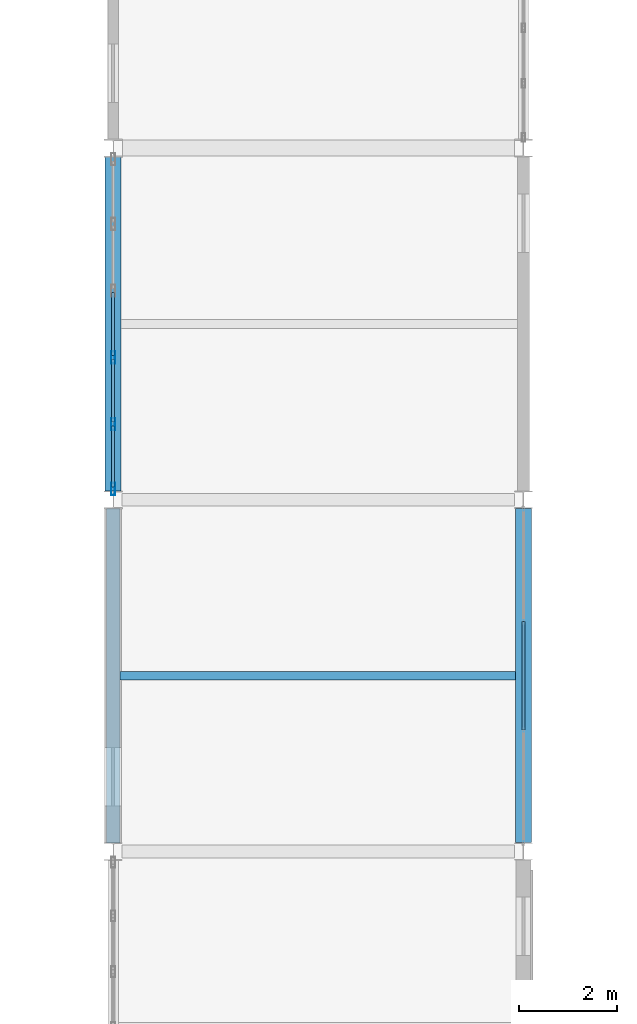
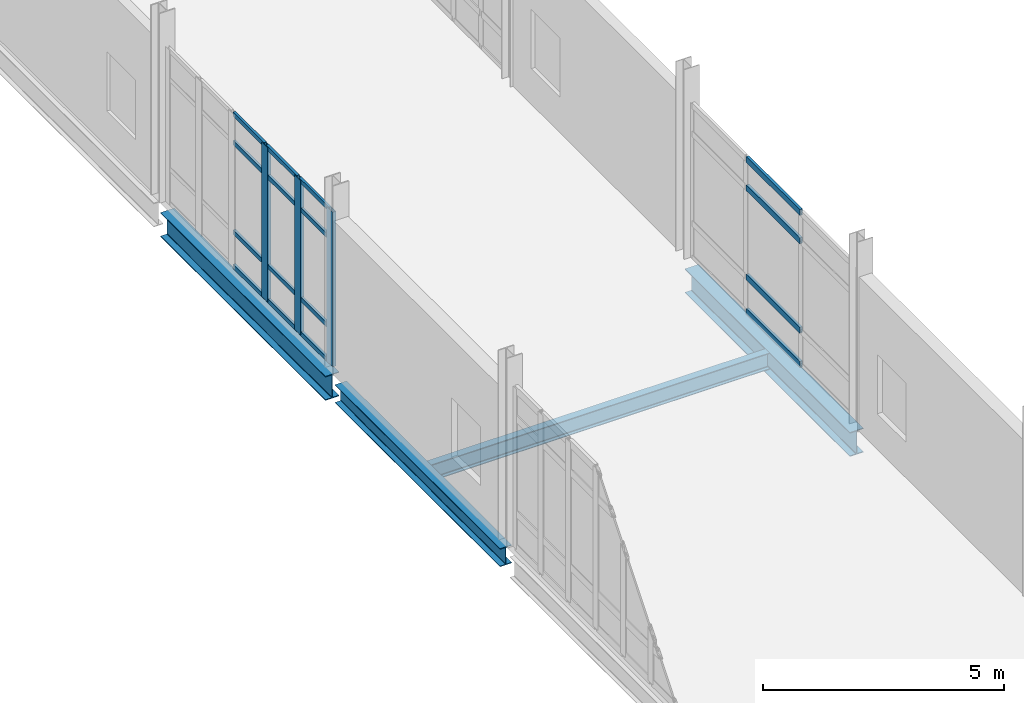
# One storey, part 78 of 186: 19 members, 4 beams, 2 elements without a shape of their own.
"""IFC4 building model written with IfcOpenShell, lengths in metres."""

from ifc_helpers import new_model, si_unit, direction, frame, origin, origin_2d, place, context, subcontext, project, spatial, hollow_rectangle, i_section, extrude, material, layer, layer_set, material_profile, profile_set, type_object, element, aggregate, save


model = new_model("IFC4")

# Units and contexts
model_context = context("Model", 3, precision=1e-05, world=origin(), true_north=direction((0.0, 1.0)))
body_context = subcontext(model_context, "Body", "Model", "MODEL_VIEW")
ifc_project = project(units=[si_unit("LENGTHUNIT", "METRE"), si_unit("AREAUNIT", "SQUARE_METRE"), si_unit("VOLUMEUNIT", "CUBIC_METRE"), si_unit("PLANEANGLEUNIT", "RADIAN"), si_unit("MASSUNIT", "GRAM", prefix="KILO")], contexts=[model_context])

# Site, building, storey
site_placement = place(None, origin())
site = spatial("IfcSite", under=ifc_project, at=site_placement, CompositionType="ELEMENT")
building_placement = place(site_placement, origin())
building = spatial("IfcBuilding", under=site, at=building_placement, Name="Calvrana Isthmian Art Gallery", CompositionType="ELEMENT")
storey_placement = place(building_placement, frame((0.0, 0.0, 5.39990234375)))
storey = spatial("IfcBuildingStorey", under=building, at=storey_placement, Name="L01", CompositionType="ELEMENT", Elevation=5.39990234375)

# Beams
ifc_material_1 = material(Name="Steel ASTM A992 Gr 50", Category="steel")
ifc_material_profile_1 = material_profile(ifc_material_1, i_section(OverallWidth=0.279052734375, OverallDepth=0.4619140625, WebThickness=0.0107421875, FlangeThickness=0.017333984375, FilletRadius=0.02001953125, at=origin_2d()), Name="W18X76")
ifc_profile_set_1 = profile_set([ifc_material_profile_1], Name="Steel ASTM A992 Gr 50")
beam_type_1 = type_object("IfcBeamType", Name="BM-G-W18X76", PredefinedType="BEAM", material=ifc_profile_set_1)
beam_1_placement = place(storey_placement, frame((55.199951171875, 76.97802734375, -0.475830078125), z_axis=(0.0, 1.0, 0.0), x_axis=(-1.0, 0.0, 0.0)))
element("IfcBeam", 1, at=beam_1_placement, inside=storey, type_object=beam_type_1, Name="Girder Y L01 08/K-L", PredefinedType="BEAM", context=body_context, shape_type="SweptSolid", body=[
    extrude(i_section(OverallWidth=0.279052734375, OverallDepth=0.4619140625, WebThickness=0.0107421875, FlangeThickness=0.017333984375, FilletRadius=0.02001953125, at=origin_2d()), origin(), (0.0, 0.0, 1.0), 6.840576171875),
])
ifc_material_profile_2 = material_profile(ifc_material_1, i_section(OverallWidth=0.324951171875, OverallDepth=0.612060546875, WebThickness=0.0126953125, FlangeThickness=0.01904296875, FilletRadius=0.02197265625, at=origin_2d()), Name="W24X104")
ifc_profile_set_2 = profile_set([ifc_material_profile_2], Name="Steel ASTM A992 Gr 50")
beam_type_2 = type_object("IfcBeamType", Name="BM-G-W24X104", PredefinedType="BEAM", material=ifc_profile_set_2)
beam_2_placement = place(storey_placement, frame((55.199951171875, 84.181396484375, -0.55078125), z_axis=(0.0, 1.0, 0.0), x_axis=(-1.0, 0.0, 0.0)))
element("IfcBeam", 2, at=beam_2_placement, inside=storey, type_object=beam_type_2, Name="Girder Y L01 08/L-M", PredefinedType="BEAM", context=body_context, shape_type="SweptSolid", body=[
    extrude(i_section(OverallWidth=0.324951171875, OverallDepth=0.612060546875, WebThickness=0.0126953125, FlangeThickness=0.01904296875, FilletRadius=0.02197265625, at=origin_2d()), origin(), (0.0, 0.0, 1.0), 6.834716796875),
])
beam_3_placement = place(storey_placement, frame((63.60009765625, 76.986572265625, -0.55078125), z_axis=(0.0, 1.0, 0.0), x_axis=(-1.0, 0.0, 0.0)))
element("IfcBeam", 3, at=beam_3_placement, inside=storey, type_object=beam_type_2, Name="Girder Y L01 09/K-L", PredefinedType="BEAM", context=body_context, shape_type="SweptSolid", body=[
    extrude(i_section(OverallWidth=0.324951171875, OverallDepth=0.612060546875, WebThickness=0.0126953125, FlangeThickness=0.01904296875, FilletRadius=0.02197265625, at=origin_2d()), origin(), (0.0, 0.0, 1.0), 6.83544921875),
])
ifc_material_profile_3 = material_profile(ifc_material_1, i_section(OverallWidth=0.179931640625, OverallDepth=0.4140625, WebThickness=0.009765625, FlangeThickness=0.01611328125, FilletRadius=0.01806640625, at=origin_2d()), Name="W16X50")
ifc_profile_set_3 = profile_set([ifc_material_profile_3], Name="Steel ASTM A992 Gr 50")
beam_type_3 = type_object("IfcBeamType", Name="BM-J-W16X50", PredefinedType="JOIST", material=ifc_profile_set_3)
beam_4_placement = place(storey_placement, frame((55.339599609375, 80.39990234375, -0.451904296875), z_axis=(1.0, 0.0, 0.0), x_axis=(0.0, 1.0, 0.0)))
element("IfcBeam", 4, at=beam_4_placement, inside=storey, type_object=beam_type_3, Name="Composite joist L01 bay 07-10", PredefinedType="JOIST", context=body_context, shape_type="SweptSolid", body=[
    extrude(i_section(OverallWidth=0.179931640625, OverallDepth=0.4140625, WebThickness=0.009765625, FlangeThickness=0.01611328125, FilletRadius=0.01806640625, at=origin_2d()), origin(), (0.0, 0.0, 1.0), 8.097900390625),
])

# Curtain wall, members
ifc_material_2 = material(Name="Anodized bronze aluminium 6063-T6", Category="aluminium")
ifc_layer = layer(ifc_material_2, 0.179931640625, Name="Anodized bronze aluminium 6063-T6")
ifc_layer_set = layer_set([ifc_layer], Name="Anodized bronze aluminium 6063-T6")
curtain_wall_type = type_object("IfcCurtainWallType", Name="CW-STICK-068X39", PredefinedType="NOTDEFINED", material=ifc_layer_set)
curtain_wall_1_placement = place(storey_placement, origin())
curtain_wall_1 = element("IfcCurtainWall", 5, at=curtain_wall_1_placement, inside=storey, type_object=curtain_wall_type, Name="Curtain wall CW-125", PredefinedType="NOTDEFINED")
ifc_material_profile_4 = material_profile(ifc_material_2, hollow_rectangle(XDim=0.080078125, YDim=0.25, WallThickness=0.005615234375, at=origin_2d()), Name="CWM80X250")
ifc_profile_set_4 = profile_set([ifc_material_profile_4], Name="Anodized bronze aluminium 6063-T6")
member_type_1 = type_object("IfcMemberType", Name="CWM-CWM80X250", PredefinedType="MULLION", material=ifc_profile_set_4)
member_1_placement = place(storey_placement, frame((55.199951171875, 84.22412109375, 0.0), z_axis=(0.0, 0.0, 1.0), x_axis=(-1.0, 0.0, 0.0)))
member_1 = element("IfcMember", 6, at=member_1_placement, type_object=member_type_1, Name="CW-125 mullion 1", PredefinedType="MULLION", context=body_context, shape_type="SweptSolid", body=[
    extrude(hollow_rectangle(XDim=0.080078125, YDim=0.25, WallThickness=0.005615234375, at=origin_2d()), origin(), (0.0, 0.0, 1.0), 3.9130859375),
])
member_2_placement = place(storey_placement, frame((55.199951171875, 85.5498046875, 0.0), z_axis=(0.0, 0.0, 1.0), x_axis=(-1.0, 0.0, 0.0)))
member_2 = element("IfcMember", 7, at=member_2_placement, type_object=member_type_1, Name="CW-125 mullion 2", PredefinedType="MULLION", context=body_context, shape_type="SweptSolid", body=[
    extrude(hollow_rectangle(XDim=0.080078125, YDim=0.25, WallThickness=0.005615234375, at=origin_2d()), origin(), (0.0, 0.0, 1.0), 3.9130859375),
])
member_3_placement = place(storey_placement, frame((55.199951171875, 86.915771484375, 0.0), z_axis=(0.0, 0.0, 1.0), x_axis=(-1.0, 0.0, 0.0)))
member_3 = element("IfcMember", 8, at=member_3_placement, type_object=member_type_1, Name="CW-125 mullion 3", PredefinedType="MULLION", context=body_context, shape_type="SweptSolid", body=[
    extrude(hollow_rectangle(XDim=0.080078125, YDim=0.25, WallThickness=0.005615234375, at=origin_2d()), origin(), (0.0, 0.0, 1.0), 3.9130859375),
])
ifc_material_profile_5 = material_profile(ifc_material_2, hollow_rectangle(XDim=0.06005859375, YDim=0.110107421875, WallThickness=0.00341796875, at=origin_2d()), Name="CWT60X110")
ifc_profile_set_5 = profile_set([ifc_material_profile_5], Name="Anodized bronze aluminium 6063-T6")
member_type_2 = type_object("IfcMemberType", Name="CWT-CWT60X110", PredefinedType="USERDEFINED", material=ifc_profile_set_5)
member_4_placement = place(storey_placement, frame((55.199951171875, 84.263916015625, 0.030029296875), z_axis=(0.0, 1.0, 0.0), x_axis=(-1.0, 0.0, 0.0)))
member_4 = element("IfcMember", 9, at=member_4_placement, type_object=member_type_2, Name="CW-125 transom 1.1", ObjectType="TRANSOM", PredefinedType="USERDEFINED", context=body_context, shape_type="SweptSolid", body=[
    extrude(hollow_rectangle(XDim=0.06005859375, YDim=0.110107421875, WallThickness=0.00341796875, at=origin_2d()), origin(), (0.0, 0.0, 1.0), 1.24609375),
])
member_5_placement = place(storey_placement, frame((55.199951171875, 84.263916015625, 0.900146484375), z_axis=(0.0, 1.0, 0.0), x_axis=(-1.0, 0.0, 0.0)))
member_5 = element("IfcMember", 10, at=member_5_placement, type_object=member_type_2, Name="CW-125 transom 1.2", ObjectType="TRANSOM", PredefinedType="USERDEFINED", context=body_context, shape_type="SweptSolid", body=[
    extrude(hollow_rectangle(XDim=0.06005859375, YDim=0.110107421875, WallThickness=0.00341796875, at=origin_2d()), origin(), (0.0, 0.0, 1.0), 1.24609375),
])
member_6_placement = place(storey_placement, frame((55.199951171875, 84.263916015625, 3.1630859375), z_axis=(0.0, 1.0, 0.0), x_axis=(-1.0, 0.0, 0.0)))
member_6 = element("IfcMember", 11, at=member_6_placement, type_object=member_type_2, Name="CW-125 transom 1.3", ObjectType="TRANSOM", PredefinedType="USERDEFINED", context=body_context, shape_type="SweptSolid", body=[
    extrude(hollow_rectangle(XDim=0.06005859375, YDim=0.110107421875, WallThickness=0.00341796875, at=origin_2d()), origin(), (0.0, 0.0, 1.0), 1.24609375),
])
member_7_placement = place(storey_placement, frame((55.199951171875, 84.263916015625, 3.883056640625), z_axis=(0.0, 1.0, 0.0), x_axis=(-1.0, 0.0, 0.0)))
member_7 = element("IfcMember", 12, at=member_7_placement, type_object=member_type_2, Name="CW-125 transom 1.4", ObjectType="TRANSOM", PredefinedType="USERDEFINED", context=body_context, shape_type="SweptSolid", body=[
    extrude(hollow_rectangle(XDim=0.06005859375, YDim=0.110107421875, WallThickness=0.00341796875, at=origin_2d()), origin(), (0.0, 0.0, 1.0), 1.24609375),
])
member_8_placement = place(storey_placement, frame((55.199951171875, 85.58984375, 0.030029296875), z_axis=(0.0, 1.0, 0.0), x_axis=(-1.0, 0.0, 0.0)))
member_8 = element("IfcMember", 13, at=member_8_placement, type_object=member_type_2, Name="CW-125 transom 2.1", ObjectType="TRANSOM", PredefinedType="USERDEFINED", context=body_context, shape_type="SweptSolid", body=[
    extrude(hollow_rectangle(XDim=0.06005859375, YDim=0.110107421875, WallThickness=0.00341796875, at=origin_2d()), origin(), (0.0, 0.0, 1.0), 1.285888671875),
])
member_9_placement = place(storey_placement, frame((55.199951171875, 85.58984375, 0.900146484375), z_axis=(0.0, 1.0, 0.0), x_axis=(-1.0, 0.0, 0.0)))
member_9 = element("IfcMember", 14, at=member_9_placement, type_object=member_type_2, Name="CW-125 transom 2.2", ObjectType="TRANSOM", PredefinedType="USERDEFINED", context=body_context, shape_type="SweptSolid", body=[
    extrude(hollow_rectangle(XDim=0.06005859375, YDim=0.110107421875, WallThickness=0.00341796875, at=origin_2d()), origin(), (0.0, 0.0, 1.0), 1.285888671875),
])
member_10_placement = place(storey_placement, frame((55.199951171875, 85.58984375, 3.1630859375), z_axis=(0.0, 1.0, 0.0), x_axis=(-1.0, 0.0, 0.0)))
member_10 = element("IfcMember", 15, at=member_10_placement, type_object=member_type_2, Name="CW-125 transom 2.3", ObjectType="TRANSOM", PredefinedType="USERDEFINED", context=body_context, shape_type="SweptSolid", body=[
    extrude(hollow_rectangle(XDim=0.06005859375, YDim=0.110107421875, WallThickness=0.00341796875, at=origin_2d()), origin(), (0.0, 0.0, 1.0), 1.285888671875),
])
member_11_placement = place(storey_placement, frame((55.199951171875, 85.58984375, 3.883056640625), z_axis=(0.0, 1.0, 0.0), x_axis=(-1.0, 0.0, 0.0)))
member_11 = element("IfcMember", 16, at=member_11_placement, type_object=member_type_2, Name="CW-125 transom 2.4", ObjectType="TRANSOM", PredefinedType="USERDEFINED", context=body_context, shape_type="SweptSolid", body=[
    extrude(hollow_rectangle(XDim=0.06005859375, YDim=0.110107421875, WallThickness=0.00341796875, at=origin_2d()), origin(), (0.0, 0.0, 1.0), 1.285888671875),
])
member_12_placement = place(storey_placement, frame((55.199951171875, 86.955810546875, 0.030029296875), z_axis=(0.0, 1.0, 0.0), x_axis=(-1.0, 0.0, 0.0)))
member_12 = element("IfcMember", 17, at=member_12_placement, type_object=member_type_2, Name="CW-125 transom 3.1", ObjectType="TRANSOM", PredefinedType="USERDEFINED", context=body_context, shape_type="SweptSolid", body=[
    extrude(hollow_rectangle(XDim=0.06005859375, YDim=0.110107421875, WallThickness=0.00341796875, at=origin_2d()), origin(), (0.0, 0.0, 1.0), 1.285888671875),
])
member_13_placement = place(storey_placement, frame((55.199951171875, 86.955810546875, 0.900146484375), z_axis=(0.0, 1.0, 0.0), x_axis=(-1.0, 0.0, 0.0)))
member_13 = element("IfcMember", 18, at=member_13_placement, type_object=member_type_2, Name="CW-125 transom 3.2", ObjectType="TRANSOM", PredefinedType="USERDEFINED", context=body_context, shape_type="SweptSolid", body=[
    extrude(hollow_rectangle(XDim=0.06005859375, YDim=0.110107421875, WallThickness=0.00341796875, at=origin_2d()), origin(), (0.0, 0.0, 1.0), 1.285888671875),
])
member_14_placement = place(storey_placement, frame((55.199951171875, 86.955810546875, 3.1630859375), z_axis=(0.0, 1.0, 0.0), x_axis=(-1.0, 0.0, 0.0)))
member_14 = element("IfcMember", 19, at=member_14_placement, type_object=member_type_2, Name="CW-125 transom 3.3", ObjectType="TRANSOM", PredefinedType="USERDEFINED", context=body_context, shape_type="SweptSolid", body=[
    extrude(hollow_rectangle(XDim=0.06005859375, YDim=0.110107421875, WallThickness=0.00341796875, at=origin_2d()), origin(), (0.0, 0.0, 1.0), 1.285888671875),
])
member_15_placement = place(storey_placement, frame((55.199951171875, 86.955810546875, 3.883056640625), z_axis=(0.0, 1.0, 0.0), x_axis=(-1.0, 0.0, 0.0)))
member_15 = element("IfcMember", 20, at=member_15_placement, type_object=member_type_2, Name="CW-125 transom 3.4", ObjectType="TRANSOM", PredefinedType="USERDEFINED", context=body_context, shape_type="SweptSolid", body=[
    extrude(hollow_rectangle(XDim=0.06005859375, YDim=0.110107421875, WallThickness=0.00341796875, at=origin_2d()), origin(), (0.0, 0.0, 1.0), 1.285888671875),
])
aggregate(curtain_wall_1, [member_1, member_2, member_3, member_4, member_5, member_6, member_7, member_8, member_9, member_10, member_11, member_12, member_13, member_14, member_15])

curtain_wall_2_placement = place(storey_placement, origin())
curtain_wall_2 = element("IfcCurtainWall", 21, at=curtain_wall_2_placement, inside=storey, type_object=curtain_wall_type, Name="Curtain wall CW-127", PredefinedType="NOTDEFINED")
ifc_material_profile_6 = material_profile(ifc_material_2, hollow_rectangle(XDim=0.06494140625, YDim=0.14990234375, WallThickness=0.00390625, at=origin_2d()), Name="CWT65X150")
ifc_profile_set_6 = profile_set([ifc_material_profile_6], Name="Anodized bronze aluminium 6063-T6")
member_type_3 = type_object("IfcMemberType", Name="CWT-CWT65X150", PredefinedType="USERDEFINED", material=ifc_profile_set_6)
member_16_placement = place(storey_placement, frame((63.60009765625, 81.50830078125, 0.03271484375), z_axis=(0.0, -1.0, 0.0), x_axis=(1.0, 0.0, 0.0)))
member_16 = element("IfcMember", 22, at=member_16_placement, type_object=member_type_3, Name="CW-127 transom 2.1", ObjectType="TRANSOM", PredefinedType="USERDEFINED", context=body_context, shape_type="SweptSolid", body=[
    extrude(hollow_rectangle(XDim=0.06494140625, YDim=0.14990234375, WallThickness=0.00390625, at=origin_2d()), origin(), (0.0, 0.0, 1.0), 2.22021484375),
])
member_17_placement = place(storey_placement, frame((63.60009765625, 81.50830078125, 0.900146484375), z_axis=(0.0, -1.0, 0.0), x_axis=(1.0, 0.0, 0.0)))
member_17 = element("IfcMember", 23, at=member_17_placement, type_object=member_type_3, Name="CW-127 transom 2.2", ObjectType="TRANSOM", PredefinedType="USERDEFINED", context=body_context, shape_type="SweptSolid", body=[
    extrude(hollow_rectangle(XDim=0.06494140625, YDim=0.14990234375, WallThickness=0.00390625, at=origin_2d()), origin(), (0.0, 0.0, 1.0), 2.22021484375),
])
member_18_placement = place(storey_placement, frame((63.60009765625, 81.50830078125, 3.1630859375), z_axis=(0.0, -1.0, 0.0), x_axis=(1.0, 0.0, 0.0)))
member_18 = element("IfcMember", 24, at=member_18_placement, type_object=member_type_3, Name="CW-127 transom 2.3", ObjectType="TRANSOM", PredefinedType="USERDEFINED", context=body_context, shape_type="SweptSolid", body=[
    extrude(hollow_rectangle(XDim=0.06494140625, YDim=0.14990234375, WallThickness=0.00390625, at=origin_2d()), origin(), (0.0, 0.0, 1.0), 2.22021484375),
])
member_19_placement = place(storey_placement, frame((63.60009765625, 81.50830078125, 3.880615234375), z_axis=(0.0, -1.0, 0.0), x_axis=(1.0, 0.0, 0.0)))
member_19 = element("IfcMember", 25, at=member_19_placement, type_object=member_type_3, Name="CW-127 transom 2.4", ObjectType="TRANSOM", PredefinedType="USERDEFINED", context=body_context, shape_type="SweptSolid", body=[
    extrude(hollow_rectangle(XDim=0.06494140625, YDim=0.14990234375, WallThickness=0.00390625, at=origin_2d()), origin(), (0.0, 0.0, 1.0), 2.22021484375),
])
aggregate(curtain_wall_2, [member_16, member_17, member_18, member_19])

save(model, "model.ifc")
